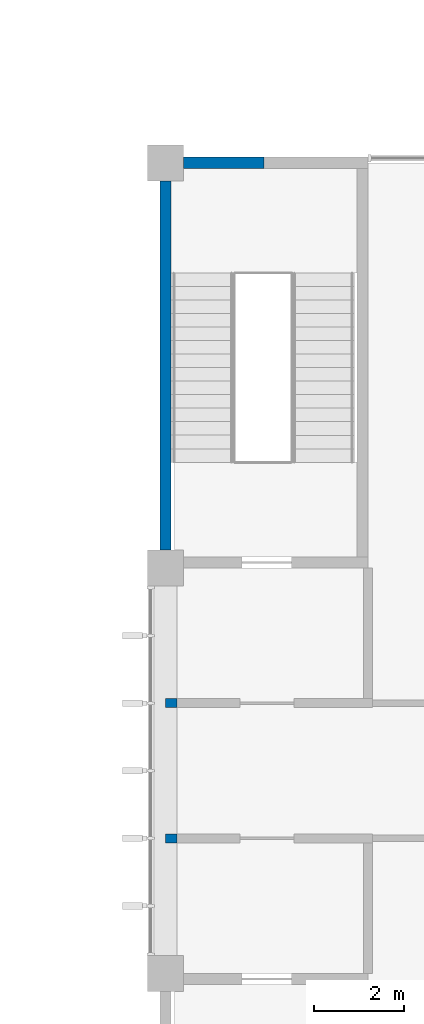
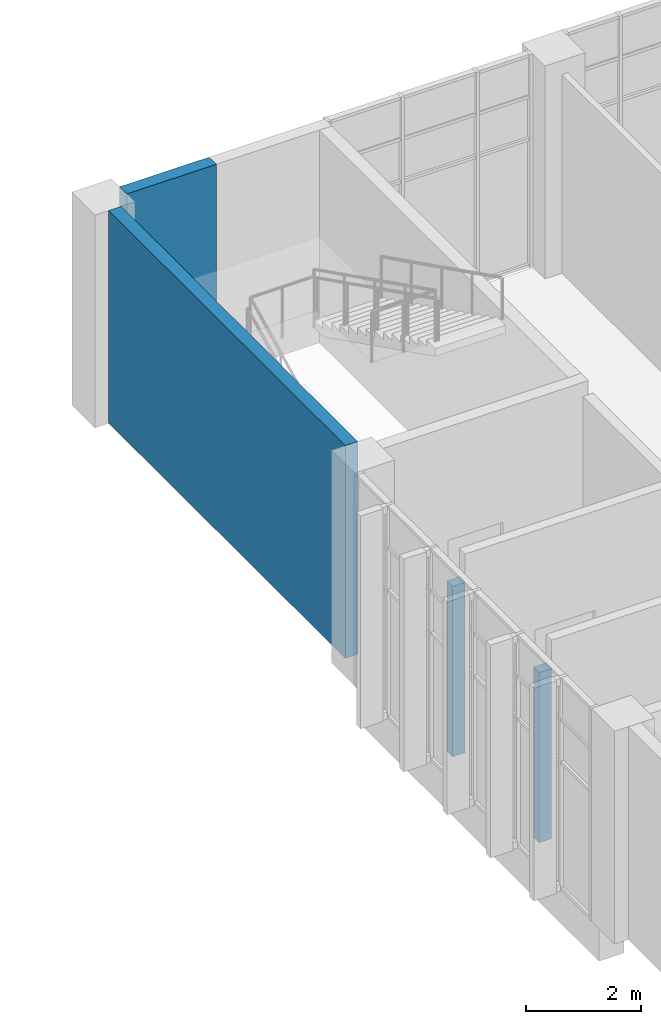
# One storey, part 31 of 43: 4 walls.
"""IFC4 building model written with IfcOpenShell, lengths in metres."""

from ifc_helpers import new_model, si_unit, direction, frame, frame_2d, origin, place, context, subcontext, project, spatial, rectangle, extrude, material, layer, layer_set, type_object, element, save


model = new_model("IFC4")

# Units and contexts
model_context = context("Model", 3, precision=1e-05, world=origin(), true_north=direction((0.0, 1.0)))
body_context = subcontext(model_context, "Body", "Model", "MODEL_VIEW")
ifc_project = project(units=[si_unit("LENGTHUNIT", "METRE"), si_unit("AREAUNIT", "SQUARE_METRE"), si_unit("VOLUMEUNIT", "CUBIC_METRE"), si_unit("PLANEANGLEUNIT", "RADIAN"), si_unit("MASSUNIT", "GRAM", prefix="KILO")], contexts=[model_context])

# Site, building, storey
site_placement = place(None, origin())
site = spatial("IfcSite", under=ifc_project, at=site_placement, CompositionType="ELEMENT")
building_placement = place(site_placement, origin())
building = spatial("IfcBuilding", under=site, at=building_placement, Name="Guidao Yard Department Store", CompositionType="ELEMENT")
storey_placement = place(building_placement, frame((0.0, 0.0, 28.5)))
storey = spatial("IfcBuildingStorey", under=building, at=storey_placement, Name="L06", CompositionType="ELEMENT", Elevation=28.5)

# Walls
ifc_material_1 = material(Name="Autoclaved aerated concrete block A3.5 B06", Category="concrete")
ifc_layer_1 = layer(ifc_material_1, 0.199951171875)
ifc_layer_set_1 = layer_set([ifc_layer_1], Name="Shaft Wall 200 Autoclaved Block EI 120")
wall_type_1 = type_object("IfcWallType", Name="Shaft Wall 200 Autoclaved Block EI 120", PredefinedType="PARTITIONING", material=ifc_layer_set_1)
for number, where, z_axis, x_axis, name in (
    (1, (126.0, 12.0, 0.0), (0.0, 0.0, 1.0), (1.0, 0.0, 0.0), "pt.wall.L06.0004"),
    (2, (126.0, 15.0, 0.0), (0.0, 0.0, 1.0), (1.0, 0.0, 0.0), "pt.wall.L06.0007"),
):
    element("IfcWall", number, at=place(storey_placement, frame(where, z_axis=z_axis, x_axis=x_axis)), inside=storey, type_object=wall_type_1, Name=name, PredefinedType="PARTITIONING", context=body_context, shape_type="SweptSolid", body=[
        extrude(rectangle(XDim=0.25, YDim=0.199951171875, at=frame_2d((0.125, 0.0))), origin(), (0.0, 0.0, 1.0), 3.60009765625),
    ])
ifc_material_2 = material(Name="Concrete C40", Category="concrete")
ifc_layer_2 = layer(ifc_material_2, 0.25)
ifc_layer_set_2 = layer_set([ifc_layer_2], Name="Wall RC 250 C40 stair and shaft")
wall_type_2 = type_object("IfcWallType", Name="Wall RC 250 C40 stair and shaft", PredefinedType="SHEAR", material=ifc_layer_set_2)
wall_1_placement = place(storey_placement, frame((126.39990234375, 27.0, 0.0), z_axis=(0.0, 0.0, 1.0), x_axis=(1.0, 0.0, 0.0)))
element("IfcWall", 3, at=wall_1_placement, inside=storey, type_object=wall_type_2, Name="Stair wall SO3", PredefinedType="SHEAR", context=body_context, shape_type="SweptSolid", body=[
    extrude(rectangle(XDim=1.7880859375, YDim=0.25, at=frame_2d((0.89404296875, 0.0))), origin(), (0.0, 0.0, 1.0), 4.5),
])
wall_2_placement = place(storey_placement, frame((126.0, 18.39990234375, 0.0), z_axis=(0.0, 0.0, 1.0), x_axis=(0.0, 1.0, 0.0)))
element("IfcWall", 4, at=wall_2_placement, inside=storey, type_object=wall_type_2, Name="Stair wall SO3", PredefinedType="SHEAR", context=body_context, shape_type="SweptSolid", body=[
    extrude(rectangle(XDim=8.2001953125, YDim=0.25, at=frame_2d((4.10009765625, 0.0))), origin(), (0.0, 0.0, 1.0), 4.5),
])

save(model, "model.ifc")
